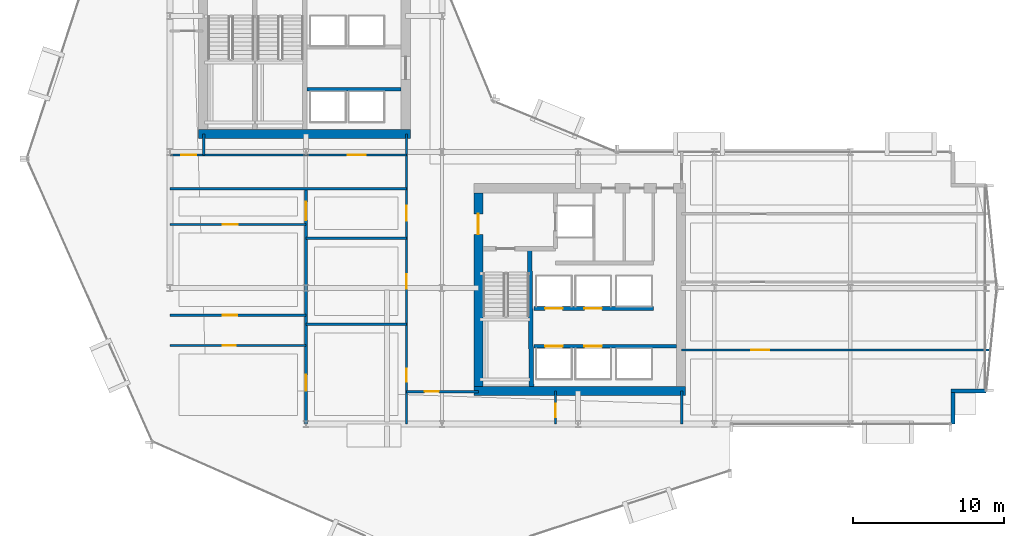
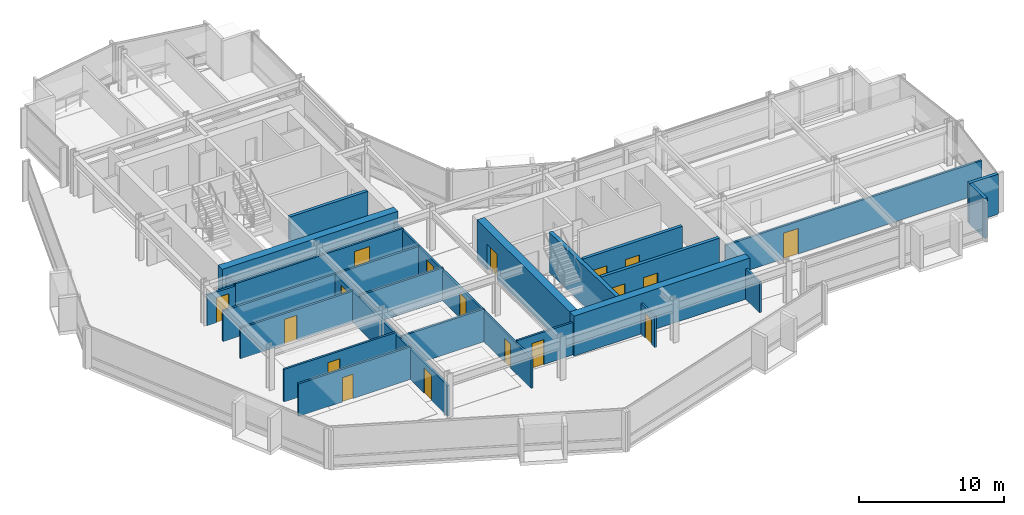
# One storey, part 28 of 35: 24 walls, 18 doors, 18 openings.
"""IFC4 building model written with IfcOpenShell, lengths in metres."""

from ifc_helpers import new_model, si_unit, direction, frame, frame_2d, origin, place, context, subcontext, project, spatial, rectangle, extrude, material, layer, layer_set, type_object, element, fill, save


model = new_model("IFC4")

# Units and contexts
model_context = context("Model", 3, precision=1e-05, world=origin(), true_north=direction((0.0, 1.0)))
body_context = subcontext(model_context, "Body", "Model", "MODEL_VIEW")
ifc_project = project(units=[si_unit("LENGTHUNIT", "METRE"), si_unit("AREAUNIT", "SQUARE_METRE"), si_unit("VOLUMEUNIT", "CUBIC_METRE"), si_unit("PLANEANGLEUNIT", "RADIAN"), si_unit("MASSUNIT", "GRAM", prefix="KILO")], contexts=[model_context])

# Site, building, storey
site_placement = place(None, origin())
site = spatial("IfcSite", under=ifc_project, at=site_placement, CompositionType="ELEMENT")
building_placement = place(site_placement, origin())
building = spatial("IfcBuilding", under=site, at=building_placement, Name="Solvaryn Broadcast Tower", CompositionType="ELEMENT")
storey_placement = place(building_placement, frame((0.0, 0.0, 80.39990234375)))
storey = spatial("IfcBuildingStorey", under=building, at=storey_placement, Name="L19", CompositionType="ELEMENT", Elevation=80.39990234375)

# Walls
ifc_material_1 = material(Name="Concrete f'c 70 MPa", Category="concrete")
ifc_layer_1 = layer(ifc_material_1, 0.60009765625)
ifc_layer_set_1 = layer_set([ifc_layer_1], Name="CW-SHEAR-600")
wall_type_1 = type_object("IfcWallType", Name="CW-SHEAR-600", PredefinedType="SHEAR", material=ifc_layer_set_1)
for number, where, z_axis, x_axis, name in (
    (1, (10.89990234375, 28.199951171875, 0.0), (0.0, 0.0, 1.0), (1.0, 0.0, 0.0), "L19 West Core South Shear Wall"),
    (2, (29.10009765625, 11.199951171875, 0.0), (0.0, 0.0, 1.0), (1.0, 0.0, 0.0), "L19 East Core South Shear Wall"),
):
    element("IfcWall", number, at=place(storey_placement, frame(where, z_axis=z_axis, x_axis=x_axis)), inside=storey, type_object=wall_type_1, Name=name, PredefinedType="SHEAR", context=body_context, shape_type="SweptSolid", body=[
        extrude(rectangle(XDim=14.0, YDim=0.60009765625, at=frame_2d((7.0, 0.0))), origin(), (0.0, 0.0, 1.0), 3.3701171875),
    ])

# Wall, opening, door
wall_1_placement = place(storey_placement, frame((29.39990234375, 24.300048828125, 0.0), z_axis=(0.0, 0.0, 1.0), x_axis=(0.0, -1.0, 0.0)))
wall_1 = element("IfcWall", 3, at=wall_1_placement, inside=storey, type_object=wall_type_1, Name="L19 East Core West Shear Wall", PredefinedType="SHEAR", context=body_context, shape_type="SweptSolid", body=[
    extrude(rectangle(XDim=12.800048828125, YDim=0.60009765625, at=frame_2d((6.39990234375, 0.0))), origin(), (0.0, 0.0, 1.0), 3.3701171875),
])
opening_1_placement = place(wall_1_placement, frame((1.39990234375, 0.0, 0.0)))
opening_1 = element("IfcOpeningElement", 4, at=opening_1_placement, cuts=wall_1, Name="Opening FD90B", PredefinedType="OPENING", context=body_context, shape_type="SweptSolid", body=[
    extrude(rectangle(XDim=1.35009765625, YDim=2.14990234375, at=frame_2d((0.675048828125, 1.074951171875))), frame((0.0, 0.31005859375, 0.0), z_axis=(0.0, -1.0, 0.0), x_axis=(1.0, 0.0, 0.0)), (0.0, 0.0, 1.0), 0.6201171875),
])
ifc_material_2 = material(Name="Flush Acoustic Steel and Timber Door Assembly", Category="steel")
door_type_1 = type_object("IfcDoorType", Name="FD90-LOBBY-1350X2150", OperationType="NOTDEFINED", PredefinedType="DOOR", material=ifc_material_2)
door_1_placement = place(opening_1_placement, origin())
door_1 = element("IfcDoor", 5, at=door_1_placement, inside=storey, type_object=door_type_1, Name="L19 East FSAE Lobby Door", OperationType="SINGLE_SWING_RIGHT", OverallHeight=2.14990234375, OverallWidth=1.35009765625, PredefinedType="DOOR", context=body_context, shape_type="SweptSolid", body=[
    extrude(rectangle(XDim=1.35009765625, YDim=2.14990234375, at=frame_2d((0.675048828125, 1.074951171875))), frame((0.0, 0.02490234375, 0.0), z_axis=(0.0, -1.0, 0.0), x_axis=(1.0, 0.0, 0.0)), (0.0, 0.0, 1.0), 0.050048828125),
])
fill(opening_1, door_1)

# Walls
ifc_material_3 = material(Name="Concrete f'c 50 MPa", Category="concrete")
ifc_layer_2 = layer(ifc_material_3, 0.260009765625)
ifc_layer_set_2 = layer_set([ifc_layer_2], Name="EW-PIER-260")
wall_type_2 = type_object("IfcWallType", Name="EW-PIER-260", PredefinedType="SOLIDWALL", material=ifc_layer_set_2)
wall_2_placement = place(storey_placement, frame((60.800048828125, 9.0, 0.0), z_axis=(0.0, 0.0, 1.0), x_axis=(0.0, 1.0, 0.0)))
element("IfcWall", 6, at=wall_2_placement, inside=storey, type_object=wall_type_2, Name="L19 Notched Corner Pier Wall NSE1", PredefinedType="SOLIDWALL", context=body_context, shape_type="SweptSolid", body=[
    extrude(rectangle(XDim=2.080078125, YDim=0.260009765625, at=frame_2d((1.0400390625, 0.0))), origin(), (0.0, 0.0, 1.0), 3.3701171875),
])
wall_3_placement = place(storey_placement, frame((60.679931640625, 11.199951171875, 0.0), z_axis=(0.0, 0.0, 1.0), x_axis=(1.0, 0.0, 0.0)))
element("IfcWall", 7, at=wall_3_placement, inside=storey, type_object=wall_type_2, Name="L19 Notched Corner Pier Wall NSE2", PredefinedType="SOLIDWALL", context=body_context, shape_type="SweptSolid", body=[
    extrude(rectangle(XDim=2.320068359375, YDim=0.260009765625, at=frame_2d((1.16015625, 0.0))), origin(), (0.0, 0.0, 1.0), 3.3701171875),
])

# Wall, opening, door
ifc_material_4 = material(Name="Metal-Stud Service Core Partition")
ifc_layer_3 = layer(ifc_material_4, 0.14990234375)
ifc_layer_set_3 = layer_set([ifc_layer_3], Name="IW-PART-150")
wall_type_3 = type_object("IfcWallType", Name="IW-PART-150", PredefinedType="PARTITIONING", material=ifc_layer_set_3)
wall_4_placement = place(storey_placement, frame((34.5, 9.0, 0.0), z_axis=(0.0, 0.0, 1.0), x_axis=(0.0, 1.0, 0.0)))
wall_4 = element("IfcWall", 8, at=wall_4_placement, inside=storey, type_object=wall_type_3, Name="L19 Interior Partition IW-L19-SC-V", PredefinedType="PARTITIONING", context=body_context, shape_type="SweptSolid", body=[
    extrude(rectangle(XDim=2.199951171875, YDim=0.14990234375, at=frame_2d((1.10009765625, 0.0))), origin(), (0.0, 0.0, 1.0), 2.5771484375),
])
opening_2_placement = place(wall_4_placement, frame((0.449951171875, 0.0, 0.0)))
opening_2 = element("IfcOpeningElement", 9, at=opening_2_placement, cuts=wall_4, Name="Opening FD60C", PredefinedType="OPENING", context=body_context, shape_type="SweptSolid", body=[
    extrude(rectangle(XDim=0.89990234375, YDim=2.10009765625, at=frame_2d((0.449951171875, 1.050048828125))), frame((0.0, 0.0849609375, 0.0), z_axis=(0.0, -1.0, 0.0), x_axis=(1.0, 0.0, 0.0)), (0.0, 0.0, 1.0), 0.169921875),
])
ifc_material_5 = material(Name="Flush Acoustic Steel and Timber Door Assembly", Category="steel")
door_type_2 = type_object("IfcDoorType", Name="FD60-SERV-900X2100", OperationType="NOTDEFINED", PredefinedType="DOOR", material=ifc_material_5)
door_2_placement = place(opening_2_placement, origin())
door_2 = element("IfcDoor", 10, at=door_2_placement, inside=storey, type_object=door_type_2, Name="L19 Door DR-L19-SC1", OperationType="SINGLE_SWING_RIGHT", OverallHeight=2.10009765625, OverallWidth=0.89990234375, PredefinedType="DOOR", context=body_context, shape_type="SweptSolid", body=[
    extrude(rectangle(XDim=0.89990234375, YDim=2.10009765625, at=frame_2d((0.449951171875, 1.050048828125))), frame((0.0, 0.02490234375, 0.0), z_axis=(0.0, -1.0, 0.0), x_axis=(1.0, 0.0, 0.0)), (0.0, 0.0, 1.0), 0.050048828125),
])
fill(opening_2, door_2)

ifc_material_6 = material(Name="Metal-Stud Gypsum Office Partition")
ifc_layer_4 = layer(ifc_material_6, 0.159912109375)
ifc_layer_set_4 = layer_set([ifc_layer_4], Name="IW-PART-160")
wall_type_4 = type_object("IfcWallType", Name="IW-PART-160", PredefinedType="PARTITIONING", material=ifc_layer_set_4)
wall_5_placement = place(storey_placement, frame((9.0, 26.800048828125, 0.0), z_axis=(0.0, 0.0, 1.0), x_axis=(1.0, 0.0, 0.0)))
wall_5 = element("IfcWall", 11, at=wall_5_placement, inside=storey, type_object=wall_type_4, Name="L19 Interior Partition IW-L19-WM-S", PredefinedType="PARTITIONING", context=body_context, shape_type="SweptSolid", body=[
    extrude(rectangle(XDim=2.25, YDim=0.159912109375, at=frame_2d((1.125, 0.0))), origin(), (0.0, 0.0, 1.0), 2.5771484375),
])
opening_3_placement = place(wall_5_placement, frame((0.75, 0.0, 0.0)))
opening_3 = element("IfcOpeningElement", 12, at=opening_3_placement, cuts=wall_5, Name="Opening ID02", PredefinedType="OPENING", context=body_context, shape_type="SweptSolid", body=[
    extrude(rectangle(XDim=1.0, YDim=2.10009765625, at=frame_2d((0.5, 1.050048828125))), frame((0.0, 0.090087890625, 0.0), z_axis=(0.0, -1.0, 0.0), x_axis=(1.0, 0.0, 0.0)), (0.0, 0.0, 1.0), 0.179931640625),
])
ifc_material_7 = material(Name="Flush Acoustic Steel and Timber Door Assembly", Category="steel")
door_type_3 = type_object("IfcDoorType", Name="ID-02-1000X2100", OperationType="NOTDEFINED", PredefinedType="DOOR", material=ifc_material_7)
door_3_placement = place(opening_3_placement, origin())
door_3 = element("IfcDoor", 13, at=door_3_placement, inside=storey, type_object=door_type_3, Name="L19 Door DR-L19-WM0", OperationType="SINGLE_SWING_LEFT", OverallHeight=2.10009765625, OverallWidth=1.0, PredefinedType="DOOR", context=body_context, shape_type="SweptSolid", body=[
    extrude(rectangle(XDim=1.0, YDim=2.10009765625, at=frame_2d((0.5, 1.050048828125))), frame((0.0, 0.02490234375, 0.0), z_axis=(0.0, -1.0, 0.0), x_axis=(1.0, 0.0, 0.0)), (0.0, 0.0, 1.0), 0.050048828125),
])
fill(opening_3, door_3)

# Wall, openings, doors
wall_6_placement = place(storey_placement, frame((24.64990234375, 9.0, 0.0), z_axis=(0.0, 0.0, 1.0), x_axis=(0.0, 1.0, 0.0)))
wall_6 = element("IfcWall", 14, at=wall_6_placement, inside=storey, type_object=wall_type_4, Name="L19 Interior Partition IW-L19-SW-EB", PredefinedType="PARTITIONING", context=body_context, shape_type="SweptSolid", body=[
    extrude(rectangle(XDim=19.199951171875, YDim=0.159912109375, at=frame_2d((9.60009765625, 0.0))), origin(), (0.0, 0.0, 1.0), 2.5771484375),
])
opening_4_placement = place(wall_6_placement, frame((2.800048828125, 0.0, 0.0)))
opening_4 = element("IfcOpeningElement", 15, at=opening_4_placement, cuts=wall_6, Name="Opening ID07", PredefinedType="OPENING", context=body_context, shape_type="SweptSolid", body=[
    extrude(rectangle(XDim=0.860107421875, YDim=2.050048828125, at=frame_2d((0.43017578125, 1.02490234375))), frame((0.0, 0.090087890625, 0.0), z_axis=(0.0, -1.0, 0.0), x_axis=(1.0, 0.0, 0.0)), (0.0, 0.0, 1.0), 0.179931640625),
])
opening_5_placement = place(wall_6_placement, frame((8.949951171875, 0.0, 0.0)))
opening_5 = element("IfcOpeningElement", 16, at=opening_5_placement, cuts=wall_6, Name="Opening ID01", PredefinedType="OPENING", context=body_context, shape_type="SweptSolid", body=[
    extrude(rectangle(XDim=0.949951171875, YDim=2.10009765625, at=frame_2d((0.47509765625, 1.050048828125))), frame((0.0, 0.090087890625, 0.0), z_axis=(0.0, -1.0, 0.0), x_axis=(1.0, 0.0, 0.0)), (0.0, 0.0, 1.0), 0.179931640625),
])
opening_6_placement = place(wall_6_placement, frame((13.43994140625, 0.0, 0.0)))
opening_6 = element("IfcOpeningElement", 17, at=opening_6_placement, cuts=wall_6, Name="Opening ID02", PredefinedType="OPENING", context=body_context, shape_type="SweptSolid", body=[
    extrude(rectangle(XDim=1.0, YDim=2.10009765625, at=frame_2d((0.5, 1.050048828125))), frame((0.0, 0.090087890625, 0.0), z_axis=(0.0, -1.0, 0.0), x_axis=(1.0, 0.0, 0.0)), (0.0, 0.0, 1.0), 0.179931640625),
])
ifc_material_8 = material(Name="Flush Acoustic Steel and Timber Door Assembly", Category="steel")
door_type_4 = type_object("IfcDoorType", Name="ID-01-950X2100", OperationType="NOTDEFINED", PredefinedType="DOOR", material=ifc_material_8)
door_4_placement = place(opening_5_placement, origin())
door_4 = element("IfcDoor", 18, at=door_4_placement, inside=storey, type_object=door_type_4, Name="L19 Door DR-L19-SWE-2", OperationType="SINGLE_SWING_LEFT", OverallHeight=2.10009765625, OverallWidth=0.949951171875, PredefinedType="DOOR", context=body_context, shape_type="SweptSolid", body=[
    extrude(rectangle(XDim=0.949951171875, YDim=2.10009765625, at=frame_2d((0.47509765625, 1.050048828125))), frame((0.0, 0.02490234375, 0.0), z_axis=(0.0, -1.0, 0.0), x_axis=(1.0, 0.0, 0.0)), (0.0, 0.0, 1.0), 0.050048828125),
])
fill(opening_5, door_4)
door_5_placement = place(opening_6_placement, origin())
door_5 = element("IfcDoor", 19, at=door_5_placement, inside=storey, type_object=door_type_3, Name="L19 Door DR-L19-SWE-3", OperationType="SINGLE_SWING_RIGHT", OverallHeight=2.10009765625, OverallWidth=1.0, PredefinedType="DOOR", context=body_context, shape_type="SweptSolid", body=[
    extrude(rectangle(XDim=1.0, YDim=2.10009765625, at=frame_2d((0.5, 1.050048828125))), frame((0.0, 0.02490234375, 0.0), z_axis=(0.0, -1.0, 0.0), x_axis=(1.0, 0.0, 0.0)), (0.0, 0.0, 1.0), 0.050048828125),
])
fill(opening_6, door_5)
ifc_material_9 = material(Name="Flush Acoustic Steel and Timber Door Assembly", Category="steel")
door_type_5 = type_object("IfcDoorType", Name="ID-07-860X2050", OperationType="NOTDEFINED", PredefinedType="DOOR", material=ifc_material_9)
door_6_placement = place(opening_4_placement, origin())
door_6 = element("IfcDoor", 20, at=door_6_placement, inside=storey, type_object=door_type_5, Name="L19 Door DR-L19-SWE-1", OperationType="SINGLE_SWING_RIGHT", OverallHeight=2.050048828125, OverallWidth=0.860107421875, PredefinedType="DOOR", context=body_context, shape_type="SweptSolid", body=[
    extrude(rectangle(XDim=0.860107421875, YDim=2.050048828125, at=frame_2d((0.43017578125, 1.02490234375))), frame((0.0, 0.02490234375, 0.0), z_axis=(0.0, -1.0, 0.0), x_axis=(1.0, 0.0, 0.0)), (0.0, 0.0, 1.0), 0.050048828125),
])
fill(opening_4, door_6)

# Wall
wall_7_placement = place(storey_placement, frame((9.0, 24.580078125, 0.0), z_axis=(0.0, 0.0, 1.0), x_axis=(1.0, 0.0, 0.0)))
element("IfcWall", 21, at=wall_7_placement, inside=storey, type_object=wall_type_4, Name="L19 Interior Partition IW-L19-SW-NB", PredefinedType="PARTITIONING", context=body_context, shape_type="SweptSolid", body=[
    extrude(rectangle(XDim=15.64990234375, YDim=0.159912109375, at=frame_2d((7.824951171875, 0.0))), origin(), (0.0, 0.0, 1.0), 2.5771484375),
])

# Wall, opening, door
wall_8_placement = place(storey_placement, frame((11.25, 26.800048828125, 0.0), z_axis=(0.0, 0.0, 1.0), x_axis=(1.0, 0.0, 0.0)))
wall_8 = element("IfcWall", 22, at=wall_8_placement, inside=storey, type_object=wall_type_4, Name="L19 Interior Partition IW-L19-SW-N2", PredefinedType="PARTITIONING", context=body_context, shape_type="SweptSolid", body=[
    extrude(rectangle(XDim=13.39990234375, YDim=0.159912109375, at=frame_2d((6.699951171875, 0.0))), origin(), (0.0, 0.0, 1.0), 2.739013671875),
])
opening_7_placement = place(wall_8_placement, frame((9.5, 0.0, 0.0)))
opening_7 = element("IfcOpeningElement", 23, at=opening_7_placement, cuts=wall_8, Name="Opening ID04", PredefinedType="OPENING", context=body_context, shape_type="SweptSolid", body=[
    extrude(rectangle(XDim=1.199951171875, YDim=2.14990234375, at=frame_2d((0.60009765625, 1.074951171875))), frame((0.0, 0.090087890625, 0.0), z_axis=(0.0, -1.0, 0.0), x_axis=(1.0, 0.0, 0.0)), (0.0, 0.0, 1.0), 0.179931640625),
])
ifc_material_10 = material(Name="Flush Acoustic Steel and Timber Door Assembly", Category="steel")
door_type_6 = type_object("IfcDoorType", Name="ID-04-1200X2150", OperationType="NOTDEFINED", PredefinedType="DOOR", material=ifc_material_10)
door_7_placement = place(opening_7_placement, origin())
door_7 = element("IfcDoor", 24, at=door_7_placement, inside=storey, type_object=door_type_6, Name="L19 Door DR-L19-SW-ALC", OperationType="SINGLE_SWING_LEFT", OverallHeight=2.14990234375, OverallWidth=1.199951171875, PredefinedType="DOOR", context=body_context, shape_type="SweptSolid", body=[
    extrude(rectangle(XDim=1.199951171875, YDim=2.14990234375, at=frame_2d((0.60009765625, 1.074951171875))), frame((0.0, 0.02490234375, 0.0), z_axis=(0.0, -1.0, 0.0), x_axis=(1.0, 0.0, 0.0)), (0.0, 0.0, 1.0), 0.050048828125),
])
fill(opening_7, door_7)

# Walls
wall_9_placement = place(storey_placement, frame((11.25, 26.800048828125, 0.0), z_axis=(0.0, 0.0, 1.0), x_axis=(0.0, 1.0, 0.0)))
element("IfcWall", 25, at=wall_9_placement, inside=storey, type_object=wall_type_4, Name="L19 Interior Partition IW-L19-SW-ALW", PredefinedType="PARTITIONING", context=body_context, shape_type="SweptSolid", body=[
    extrude(rectangle(XDim=1.39990234375, YDim=0.159912109375, at=frame_2d((0.699951171875, 0.0))), origin(), (0.0, 0.0, 1.0), 2.739013671875),
])
for number, where, z_axis, x_axis, name in (
    (26, (18.0, 15.60009765625, 0.0), (0.0, 0.0, 1.0), (1.0, 0.0, 0.0), "L19 Interior Partition IW-L19-SWE-H1"),
    (27, (18.0, 21.300048828125, 0.0), (0.0, 0.0, 1.0), (1.0, 0.0, 0.0), "L19 Interior Partition IW-L19-SWE-H2"),
):
    element("IfcWall", number, at=place(storey_placement, frame(where, z_axis=z_axis, x_axis=x_axis)), inside=storey, type_object=wall_type_4, Name=name, PredefinedType="PARTITIONING", context=body_context, shape_type="SweptSolid", body=[
        extrude(rectangle(XDim=6.64990234375, YDim=0.159912109375, at=frame_2d((3.324951171875, 0.0))), origin(), (0.0, 0.0, 1.0), 2.7421875),
    ])

# Wall, opening, door
wall_10_placement = place(storey_placement, frame((9.0, 14.199951171875, 0.0), z_axis=(0.0, 0.0, 1.0), x_axis=(1.0, 0.0, 0.0)))
wall_10 = element("IfcWall", 28, at=wall_10_placement, inside=storey, type_object=wall_type_4, Name="L19 Interior Partition IW-L19-SWW-H1", PredefinedType="PARTITIONING", context=body_context, shape_type="SweptSolid", body=[
    extrude(rectangle(XDim=9.0, YDim=0.159912109375, at=frame_2d((4.5, 0.0))), origin(), (0.0, 0.0, 1.0), 2.7421875),
])
opening_8_placement = place(wall_10_placement, frame((3.5, 0.0, 0.0)))
opening_8 = element("IfcOpeningElement", 29, at=opening_8_placement, cuts=wall_10, Name="Opening ID07", PredefinedType="OPENING", context=body_context, shape_type="SweptSolid", body=[
    extrude(rectangle(XDim=0.860107421875, YDim=2.050048828125, at=frame_2d((0.43017578125, 1.02490234375))), frame((0.0, 0.090087890625, 0.0), z_axis=(0.0, -1.0, 0.0), x_axis=(1.0, 0.0, 0.0)), (0.0, 0.0, 1.0), 0.179931640625),
])
door_8_placement = place(opening_8_placement, origin())
door_8 = element("IfcDoor", 30, at=door_8_placement, inside=storey, type_object=door_type_5, Name="L19 Door DR-L19-SWW-1", OperationType="SINGLE_SWING_LEFT", OverallHeight=2.050048828125, OverallWidth=0.860107421875, PredefinedType="DOOR", context=body_context, shape_type="SweptSolid", body=[
    extrude(rectangle(XDim=0.860107421875, YDim=2.050048828125, at=frame_2d((0.43017578125, 1.02490234375))), frame((0.0, 0.02490234375, 0.0), z_axis=(0.0, -1.0, 0.0), x_axis=(1.0, 0.0, 0.0)), (0.0, 0.0, 1.0), 0.050048828125),
])
fill(opening_8, door_8)

wall_11_placement = place(storey_placement, frame((9.0, 16.199951171875, 0.0), z_axis=(0.0, 0.0, 1.0), x_axis=(1.0, 0.0, 0.0)))
wall_11 = element("IfcWall", 31, at=wall_11_placement, inside=storey, type_object=wall_type_4, Name="L19 Interior Partition IW-L19-SWW-H2", PredefinedType="PARTITIONING", context=body_context, shape_type="SweptSolid", body=[
    extrude(rectangle(XDim=9.0, YDim=0.159912109375, at=frame_2d((4.5, 0.0))), origin(), (0.0, 0.0, 1.0), 2.7421875),
])
opening_9_placement = place(wall_11_placement, frame((3.5, 0.0, 0.0)))
opening_9 = element("IfcOpeningElement", 32, at=opening_9_placement, cuts=wall_11, Name="Opening ID01", PredefinedType="OPENING", context=body_context, shape_type="SweptSolid", body=[
    extrude(rectangle(XDim=0.949951171875, YDim=2.10009765625, at=frame_2d((0.47509765625, 1.050048828125))), frame((0.0, 0.090087890625, 0.0), z_axis=(0.0, -1.0, 0.0), x_axis=(1.0, 0.0, 0.0)), (0.0, 0.0, 1.0), 0.179931640625),
])
door_9_placement = place(opening_9_placement, origin())
door_9 = element("IfcDoor", 33, at=door_9_placement, inside=storey, type_object=door_type_4, Name="L19 Door DR-L19-SWW-2", OperationType="SINGLE_SWING_RIGHT", OverallHeight=2.10009765625, OverallWidth=0.949951171875, PredefinedType="DOOR", context=body_context, shape_type="SweptSolid", body=[
    extrude(rectangle(XDim=0.949951171875, YDim=2.10009765625, at=frame_2d((0.47509765625, 1.050048828125))), frame((0.0, 0.02490234375, 0.0), z_axis=(0.0, -1.0, 0.0), x_axis=(1.0, 0.0, 0.0)), (0.0, 0.0, 1.0), 0.050048828125),
])
fill(opening_9, door_9)

wall_12_placement = place(storey_placement, frame((9.0, 22.199951171875, 0.0), z_axis=(0.0, 0.0, 1.0), x_axis=(1.0, 0.0, 0.0)))
wall_12 = element("IfcWall", 34, at=wall_12_placement, inside=storey, type_object=wall_type_4, Name="L19 Interior Partition IW-L19-SWW-H3", PredefinedType="PARTITIONING", context=body_context, shape_type="SweptSolid", body=[
    extrude(rectangle(XDim=9.0, YDim=0.159912109375, at=frame_2d((4.5, 0.0))), origin(), (0.0, 0.0, 1.0), 2.5771484375),
])
opening_10_placement = place(wall_12_placement, frame((3.5, 0.0, 0.0)))
opening_10 = element("IfcOpeningElement", 35, at=opening_10_placement, cuts=wall_12, Name="Opening ID02", PredefinedType="OPENING", context=body_context, shape_type="SweptSolid", body=[
    extrude(rectangle(XDim=1.0, YDim=2.10009765625, at=frame_2d((0.5, 1.050048828125))), frame((0.0, 0.090087890625, 0.0), z_axis=(0.0, -1.0, 0.0), x_axis=(1.0, 0.0, 0.0)), (0.0, 0.0, 1.0), 0.179931640625),
])
door_10_placement = place(opening_10_placement, origin())
door_10 = element("IfcDoor", 36, at=door_10_placement, inside=storey, type_object=door_type_3, Name="L19 Door DR-L19-SWW-3", OperationType="SINGLE_SWING_LEFT", OverallHeight=2.10009765625, OverallWidth=1.0, PredefinedType="DOOR", context=body_context, shape_type="SweptSolid", body=[
    extrude(rectangle(XDim=1.0, YDim=2.10009765625, at=frame_2d((0.5, 1.050048828125))), frame((0.0, 0.02490234375, 0.0), z_axis=(0.0, -1.0, 0.0), x_axis=(1.0, 0.0, 0.0)), (0.0, 0.0, 1.0), 0.050048828125),
])
fill(opening_10, door_10)

wall_13_placement = place(storey_placement, frame((24.64990234375, 11.14990234375, 0.0), z_axis=(0.0, 0.0, 1.0), x_axis=(1.0, 0.0, 0.0)))
wall_13 = element("IfcWall", 37, at=wall_13_placement, inside=storey, type_object=wall_type_4, Name="L19 Interior Partition IW-L19-SC-N", PredefinedType="PARTITIONING", context=body_context, shape_type="SweptSolid", body=[
    extrude(rectangle(XDim=4.75, YDim=0.159912109375, at=frame_2d((2.375, 0.0))), origin(), (0.0, 0.0, 1.0), 2.7421875),
])
opening_11_placement = place(wall_13_placement, frame((1.199951171875, 0.0, 0.0)))
opening_11 = element("IfcOpeningElement", 38, at=opening_11_placement, cuts=wall_13, Name="Opening ID01", PredefinedType="OPENING", context=body_context, shape_type="SweptSolid", body=[
    extrude(rectangle(XDim=0.949951171875, YDim=2.10009765625, at=frame_2d((0.47509765625, 1.050048828125))), frame((0.0, 0.090087890625, 0.0), z_axis=(0.0, -1.0, 0.0), x_axis=(1.0, 0.0, 0.0)), (0.0, 0.0, 1.0), 0.179931640625),
])
door_11_placement = place(opening_11_placement, origin())
door_11 = element("IfcDoor", 39, at=door_11_placement, inside=storey, type_object=door_type_4, Name="L19 Door DR-L19-SC0", OperationType="SINGLE_SWING_LEFT", OverallHeight=2.10009765625, OverallWidth=0.949951171875, PredefinedType="DOOR", context=body_context, shape_type="SweptSolid", body=[
    extrude(rectangle(XDim=0.949951171875, YDim=2.10009765625, at=frame_2d((0.47509765625, 1.050048828125))), frame((0.0, 0.02490234375, 0.0), z_axis=(0.0, -1.0, 0.0), x_axis=(1.0, 0.0, 0.0)), (0.0, 0.0, 1.0), 0.050048828125),
])
fill(opening_11, door_11)

# Wall
wall_14_placement = place(storey_placement, frame((42.85009765625, 9.0, 0.0), z_axis=(0.0, 0.0, 1.0), x_axis=(0.0, 1.0, 0.0)))
element("IfcWall", 40, at=wall_14_placement, inside=storey, type_object=wall_type_4, Name="L19 Interior Partition IW-L19-SC-E", PredefinedType="PARTITIONING", context=body_context, shape_type="SweptSolid", body=[
    extrude(rectangle(XDim=2.199951171875, YDim=0.159912109375, at=frame_2d((1.10009765625, 0.0))), origin(), (0.0, 0.0, 1.0), 2.5771484375),
])

# Wall, opening, door
wall_15_placement = place(storey_placement, frame((42.85009765625, 13.89990234375, 0.0), z_axis=(0.0, 0.0, 1.0), x_axis=(1.0, 0.0, 0.0)))
wall_15 = element("IfcWall", 41, at=wall_15_placement, inside=storey, type_object=wall_type_4, Name="L19 Interior Partition IW-L19-EW-H1", PredefinedType="PARTITIONING", context=body_context, shape_type="SweptSolid", body=[
    extrude(rectangle(XDim=20.427978515625, YDim=0.159912109375, at=frame_2d((10.2138671875, 0.0))), origin(), (0.0, 0.0, 1.0), 2.7421875),
])
opening_12_placement = place(wall_15_placement, frame((4.60009765625, 0.0, 0.0)))
opening_12 = element("IfcOpeningElement", 42, at=opening_12_placement, cuts=wall_15, Name="Opening ID04", PredefinedType="OPENING", context=body_context, shape_type="SweptSolid", body=[
    extrude(rectangle(XDim=1.199951171875, YDim=2.14990234375, at=frame_2d((0.60009765625, 1.074951171875))), frame((0.0, 0.090087890625, 0.0), z_axis=(0.0, -1.0, 0.0), x_axis=(1.0, 0.0, 0.0)), (0.0, 0.0, 1.0), 0.179931640625),
])
door_12_placement = place(opening_12_placement, origin())
door_12 = element("IfcDoor", 43, at=door_12_placement, inside=storey, type_object=door_type_6, Name="L19 Door DR-L19-EW-1", OperationType="SINGLE_SWING_RIGHT", OverallHeight=2.14990234375, OverallWidth=1.199951171875, PredefinedType="DOOR", context=body_context, shape_type="SweptSolid", body=[
    extrude(rectangle(XDim=1.199951171875, YDim=2.14990234375, at=frame_2d((0.60009765625, 1.074951171875))), frame((0.0, 0.02490234375, 0.0), z_axis=(0.0, -1.0, 0.0), x_axis=(1.0, 0.0, 0.0)), (0.0, 0.0, 1.0), 0.050048828125),
])
fill(opening_12, door_12)

# Wall, openings, doors
ifc_material_11 = material(Name="Acoustic Metal-Stud Gypsum Partition")
ifc_layer_5 = layer(ifc_material_11, 0.179931640625)
ifc_layer_set_5 = layer_set([ifc_layer_5], Name="IW-PART-180")
wall_type_5 = type_object("IfcWallType", Name="IW-PART-180", PredefinedType="PARTITIONING", material=ifc_layer_set_5)
wall_16_placement = place(storey_placement, frame((18.0, 9.0, 0.0), z_axis=(0.0, 0.0, 1.0), x_axis=(0.0, 1.0, 0.0)))
wall_16 = element("IfcWall", 44, at=wall_16_placement, inside=storey, type_object=wall_type_5, Name="L19 Interior Partition IW-L19-SW-VX", PredefinedType="PARTITIONING", context=body_context, shape_type="SweptSolid", body=[
    extrude(rectangle(XDim=15.580078125, YDim=0.179931640625, at=frame_2d((7.7900390625, 0.0))), origin(), (0.0, 0.0, 1.0), 2.5771484375),
])
opening_13_placement = place(wall_16_placement, frame((2.199951171875, 0.0, 0.0)))
opening_13 = element("IfcOpeningElement", 45, at=opening_13_placement, cuts=wall_16, Name="Opening ID03", PredefinedType="OPENING", context=body_context, shape_type="SweptSolid", body=[
    extrude(rectangle(XDim=1.050048828125, YDim=2.14990234375, at=frame_2d((0.52490234375, 1.074951171875))), frame((0.0, 0.099853515625, 0.0), z_axis=(0.0, -1.0, 0.0), x_axis=(1.0, 0.0, 0.0)), (0.0, 0.0, 1.0), 0.199951171875),
])
opening_14_placement = place(wall_16_placement, frame((13.5, 0.0, 0.0)))
opening_14 = element("IfcOpeningElement", 46, at=opening_14_placement, cuts=wall_16, Name="Opening ID04", PredefinedType="OPENING", context=body_context, shape_type="SweptSolid", body=[
    extrude(rectangle(XDim=1.199951171875, YDim=2.14990234375, at=frame_2d((0.60009765625, 1.074951171875))), frame((0.0, 0.099853515625, 0.0), z_axis=(0.0, -1.0, 0.0), x_axis=(1.0, 0.0, 0.0)), (0.0, 0.0, 1.0), 0.199951171875),
])
ifc_material_12 = material(Name="Flush Acoustic Steel and Timber Door Assembly", Category="steel")
door_type_7 = type_object("IfcDoorType", Name="ID-03-1050X2150", OperationType="NOTDEFINED", PredefinedType="DOOR", material=ifc_material_12)
door_13_placement = place(opening_13_placement, origin())
door_13 = element("IfcDoor", 47, at=door_13_placement, inside=storey, type_object=door_type_7, Name="L19 Door DR-L19-SWW-X1", OperationType="SINGLE_SWING_LEFT", OverallHeight=2.14990234375, OverallWidth=1.050048828125, PredefinedType="DOOR", context=body_context, shape_type="SweptSolid", body=[
    extrude(rectangle(XDim=1.050048828125, YDim=2.14990234375, at=frame_2d((0.52490234375, 1.074951171875))), frame((0.0, 0.02490234375, 0.0), z_axis=(0.0, -1.0, 0.0), x_axis=(1.0, 0.0, 0.0)), (0.0, 0.0, 1.0), 0.050048828125),
])
fill(opening_13, door_13)
door_14_placement = place(opening_14_placement, origin())
door_14 = element("IfcDoor", 48, at=door_14_placement, inside=storey, type_object=door_type_6, Name="L19 Door DR-L19-SWW-X2", OperationType="SINGLE_SWING_RIGHT", OverallHeight=2.14990234375, OverallWidth=1.199951171875, PredefinedType="DOOR", context=body_context, shape_type="SweptSolid", body=[
    extrude(rectangle(XDim=1.199951171875, YDim=2.14990234375, at=frame_2d((0.60009765625, 1.074951171875))), frame((0.0, 0.02490234375, 0.0), z_axis=(0.0, -1.0, 0.0), x_axis=(1.0, 0.0, 0.0)), (0.0, 0.0, 1.0), 0.050048828125),
])
fill(opening_14, door_14)

# Wall
ifc_material_13 = material(Name="Concrete f'c 60 MPa", Category="concrete")
ifc_layer_6 = layer(ifc_material_13, 0.25)
ifc_layer_set_6 = layer_set([ifc_layer_6], Name="SW-SHAFT-250")
wall_type_6 = type_object("IfcWallType", Name="SW-SHAFT-250", PredefinedType="PARTITIONING", material=ifc_layer_set_6)
wall_17_placement = place(storey_placement, frame((18.070068359375, 31.14990234375, 0.0), z_axis=(0.0, 0.0, 1.0), x_axis=(1.0, 0.0, 0.0)))
element("IfcWall", 49, at=wall_17_placement, inside=storey, type_object=wall_type_6, Name="L19 High-Rise Lift Bank South Wall", PredefinedType="PARTITIONING", context=body_context, shape_type="SweptSolid", body=[
    extrude(rectangle(XDim=6.22998046875, YDim=0.25, at=frame_2d((3.114990234375, 0.0))), origin(), (0.0, 0.0, 1.0), 3.3701171875),
])

# Wall, openings, doors
wall_18_placement = place(storey_placement, frame((33.070068359375, 14.14990234375, 0.0), z_axis=(0.0, 0.0, 1.0), x_axis=(1.0, 0.0, 0.0)))
wall_18 = element("IfcWall", 50, at=wall_18_placement, inside=storey, type_object=wall_type_6, Name="L19 East Lift Bank South Wall", PredefinedType="PARTITIONING", context=body_context, shape_type="SweptSolid", body=[
    extrude(rectangle(XDim=9.429931640625, YDim=0.25, at=frame_2d((4.71484375, 0.0))), origin(), (0.0, 0.0, 1.0), 3.3701171875),
])
opening_15_placement = place(wall_18_placement, frame((0.7548828125, 0.0, 0.0)))
opening_15 = element("IfcOpeningElement", 51, at=opening_15_placement, cuts=wall_18, Name="Opening LD01", PredefinedType="OPENING", context=body_context, shape_type="SweptSolid", body=[
    extrude(rectangle(XDim=1.14990234375, YDim=2.14990234375, at=frame_2d((0.574951171875, 1.074951171875))), frame((0.0, 0.135009765625, 0.0), z_axis=(0.0, -1.0, 0.0), x_axis=(1.0, 0.0, 0.0)), (0.0, 0.0, 1.0), 0.27001953125),
])
opening_16_placement = place(wall_18_placement, frame((3.35498046875, 0.0, 0.0)))
opening_16 = element("IfcOpeningElement", 52, at=opening_16_placement, cuts=wall_18, Name="Opening LD01", PredefinedType="OPENING", context=body_context, shape_type="SweptSolid", body=[
    extrude(rectangle(XDim=1.14990234375, YDim=2.14990234375, at=frame_2d((0.574951171875, 1.074951171875))), frame((0.0, 0.135009765625, 0.0), z_axis=(0.0, -1.0, 0.0), x_axis=(1.0, 0.0, 0.0)), (0.0, 0.0, 1.0), 0.27001953125),
])
ifc_material_14 = material(Name="Flush Acoustic Steel and Timber Door Assembly", Category="steel")
door_type_8 = type_object("IfcDoorType", Name="LD-LIFT-1150X2150", OperationType="NOTDEFINED", PredefinedType="DOOR", material=ifc_material_14)
door_15_placement = place(opening_15_placement, origin())
door_15 = element("IfcDoor", 53, at=door_15_placement, inside=storey, type_object=door_type_8, Name="L19 PL1 Lift Landing Door", OperationType="DOUBLE_DOOR_SLIDING", OverallHeight=2.14990234375, OverallWidth=1.14990234375, PredefinedType="DOOR", context=body_context, shape_type="SweptSolid", body=[
    extrude(rectangle(XDim=1.14990234375, YDim=2.14990234375, at=frame_2d((0.574951171875, 1.074951171875))), frame((0.0, 0.02490234375, 0.0), z_axis=(0.0, -1.0, 0.0), x_axis=(1.0, 0.0, 0.0)), (0.0, 0.0, 1.0), 0.050048828125),
])
fill(opening_15, door_15)
door_16_placement = place(opening_16_placement, origin())
door_16 = element("IfcDoor", 54, at=door_16_placement, inside=storey, type_object=door_type_8, Name="L19 PL2 Lift Landing Door", OperationType="DOUBLE_DOOR_SLIDING", OverallHeight=2.14990234375, OverallWidth=1.14990234375, PredefinedType="DOOR", context=body_context, shape_type="SweptSolid", body=[
    extrude(rectangle(XDim=1.14990234375, YDim=2.14990234375, at=frame_2d((0.574951171875, 1.074951171875))), frame((0.0, 0.02490234375, 0.0), z_axis=(0.0, -1.0, 0.0), x_axis=(1.0, 0.0, 0.0)), (0.0, 0.0, 1.0), 0.050048828125),
])
fill(opening_16, door_16)

wall_19_placement = place(storey_placement, frame((40.97998046875, 16.64990234375, 0.0), z_axis=(0.0, 0.0, 1.0), x_axis=(-1.0, 0.0, 0.0)))
wall_19 = element("IfcWall", 55, at=wall_19_placement, inside=storey, type_object=wall_type_6, Name="L19 East Lift Bank North Wall", PredefinedType="PARTITIONING", context=body_context, shape_type="SweptSolid", body=[
    extrude(rectangle(XDim=7.909912109375, YDim=0.25, at=frame_2d((3.955078125, 0.0))), origin(), (0.0, 0.0, 1.0), 3.3701171875),
])
opening_17_placement = place(wall_19_placement, frame((6.0048828125, 0.0, 0.0)))
opening_17 = element("IfcOpeningElement", 56, at=opening_17_placement, cuts=wall_19, Name="Opening LD01", PredefinedType="OPENING", context=body_context, shape_type="SweptSolid", body=[
    extrude(rectangle(XDim=1.14990234375, YDim=2.14990234375, at=frame_2d((0.574951171875, 1.074951171875))), frame((0.0, 0.135009765625, 0.0), z_axis=(0.0, -1.0, 0.0), x_axis=(1.0, 0.0, 0.0)), (0.0, 0.0, 1.0), 0.27001953125),
])
opening_18_placement = place(wall_19_placement, frame((3.405029296875, 0.0, 0.0)))
opening_18 = element("IfcOpeningElement", 57, at=opening_18_placement, cuts=wall_19, Name="Opening LD01", PredefinedType="OPENING", context=body_context, shape_type="SweptSolid", body=[
    extrude(rectangle(XDim=1.14990234375, YDim=2.14990234375, at=frame_2d((0.574951171875, 1.074951171875))), frame((0.0, 0.135009765625, 0.0), z_axis=(0.0, -1.0, 0.0), x_axis=(1.0, 0.0, 0.0)), (0.0, 0.0, 1.0), 0.27001953125),
])
door_17_placement = place(opening_17_placement, origin())
door_17 = element("IfcDoor", 58, at=door_17_placement, inside=storey, type_object=door_type_8, Name="L19 PL3 Lift Landing Door", OperationType="DOUBLE_DOOR_SLIDING", OverallHeight=2.14990234375, OverallWidth=1.14990234375, PredefinedType="DOOR", context=body_context, shape_type="SweptSolid", body=[
    extrude(rectangle(XDim=1.14990234375, YDim=2.14990234375, at=frame_2d((0.574951171875, 1.074951171875))), frame((0.0, 0.02490234375, 0.0), z_axis=(0.0, -1.0, 0.0), x_axis=(1.0, 0.0, 0.0)), (0.0, 0.0, 1.0), 0.050048828125),
])
fill(opening_17, door_17)
door_18_placement = place(opening_18_placement, origin())
door_18 = element("IfcDoor", 59, at=door_18_placement, inside=storey, type_object=door_type_8, Name="L19 PL4 Lift Landing Door", OperationType="DOUBLE_DOOR_SLIDING", OverallHeight=2.14990234375, OverallWidth=1.14990234375, PredefinedType="DOOR", context=body_context, shape_type="SweptSolid", body=[
    extrude(rectangle(XDim=1.14990234375, YDim=2.14990234375, at=frame_2d((0.574951171875, 1.074951171875))), frame((0.0, 0.02490234375, 0.0), z_axis=(0.0, -1.0, 0.0), x_axis=(1.0, 0.0, 0.0)), (0.0, 0.0, 1.0), 0.050048828125),
])
fill(opening_18, door_18)

# Wall
ifc_material_15 = material(Name="Concrete f'c 70 MPa", Category="concrete")
ifc_layer_7 = layer(ifc_material_15, 0.300048828125)
ifc_layer_set_7 = layer_set([ifc_layer_7], Name="SW-SHAFT-300")
wall_type_7 = type_object("IfcWallType", Name="SW-SHAFT-300", PredefinedType="SHEAR", material=ifc_layer_set_7)
wall_20_placement = place(storey_placement, frame((32.919921875, 11.5, 0.0), z_axis=(0.0, 0.0, 1.0), x_axis=(-0.013244407292, 0.999912288991, 0.0)))
element("IfcWall", 60, at=wall_20_placement, inside=storey, type_object=wall_type_7, Name="L19 Stair 3 East Shear Wall", PredefinedType="SHEAR", context=body_context, shape_type="SweptSolid", body=[
    extrude(rectangle(XDim=9.05078125, YDim=0.300048828125, at=frame_2d((4.525390625, 0.0))), origin(), (0.0, 0.0, 1.0), 3.3701171875),
])

save(model, "model.ifc")
